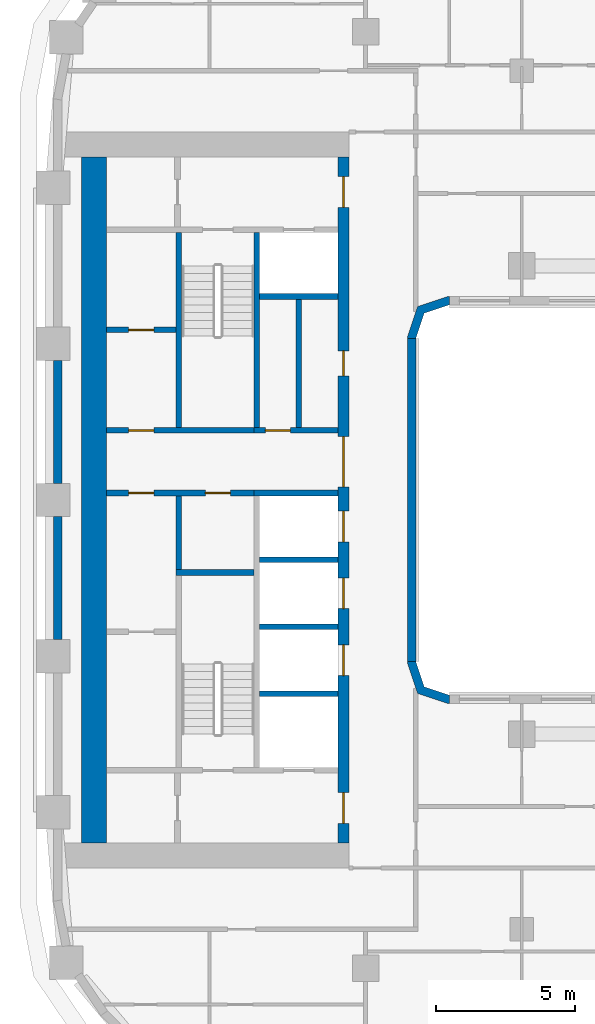
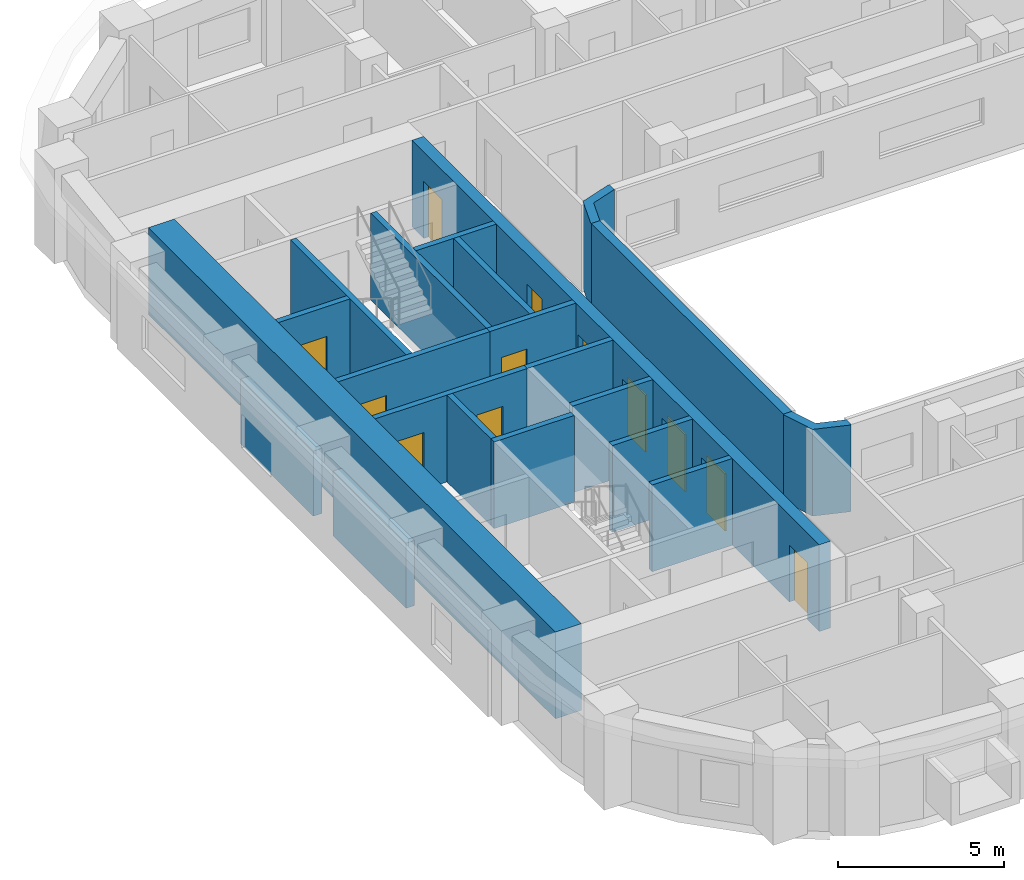
# One storey, part 5 of 23: 21 walls, 12 doors, 12 openings.
"""IFC4 building model written with IfcOpenShell, lengths in metres."""

from ifc_helpers import new_model, si_unit, direction, frame, frame_2d, origin, place, context, subcontext, project, spatial, polyline, rectangle, outline, extrude, material, layer, layer_set, type_object, element, fill, save


model = new_model("IFC4")

# Units and contexts
model_context = context("Model", 3, precision=1e-05, world=origin(), true_north=direction((0.0, 1.0)))
body_context = subcontext(model_context, "Body", "Model", "MODEL_VIEW")
ifc_project = project(units=[si_unit("LENGTHUNIT", "METRE"), si_unit("AREAUNIT", "SQUARE_METRE"), si_unit("VOLUMEUNIT", "CUBIC_METRE"), si_unit("PLANEANGLEUNIT", "RADIAN"), si_unit("MASSUNIT", "GRAM", prefix="KILO")], contexts=[model_context])

# Site, building, storey
site_placement = place(None, origin())
site = spatial("IfcSite", under=ifc_project, at=site_placement, CompositionType="ELEMENT")
building_placement = place(site_placement, origin())
building = spatial("IfcBuilding", under=site, at=building_placement, Name="Kiln Ring Residences", CompositionType="ELEMENT")
storey_placement = place(building_placement, frame((0.0, 0.0, 118.300048828125)))
storey = spatial("IfcBuildingStorey", under=building, at=storey_placement, Name="L30", CompositionType="ELEMENT", Elevation=118.300048828125)

# Wall
ifc_material_1 = material(Name="Gypsum board on steel studs", Category="steel")
ifc_layer_1 = layer(ifc_material_1, 0.199951171875)
ifc_layer_set_1 = layer_set([ifc_layer_1], Name="CORE-PARTITION-200")
wall_type_1 = type_object("IfcWallType", Name="CORE-PARTITION-200", PredefinedType="PARTITIONING", material=ifc_layer_set_1)
wall_1_placement = place(storey_placement, frame((-23.5, -2.5, 0.0), z_axis=(0.0, 0.0, 1.0), x_axis=(0.0, 1.0, 0.0)))
element("IfcWall", 1, at=wall_1_placement, inside=storey, type_object=wall_type_1, Name="Core partition west L30 1", PredefinedType="PARTITIONING", context=body_context, shape_type="SweptSolid", body=[
    extrude(rectangle(XDim=2.64990234375, YDim=0.199951171875, at=frame_2d((1.324951171875, 0.0))), origin(), (0.0, 0.0, 1.0), 3.199951171875),
])

# Wall, openings, doors
wall_2_placement = place(storey_placement, frame((-20.800048828125, 0.25, 0.0), z_axis=(0.0, 0.0, 1.0), x_axis=(-1.0, 0.0, 0.0)))
wall_2 = element("IfcWall", 2, at=wall_2_placement, inside=storey, type_object=wall_type_1, Name="Core partition west L30 2", PredefinedType="PARTITIONING", context=body_context, shape_type="SweptSolid", body=[
    extrude(rectangle(XDim=5.300048828125, YDim=0.199951171875, at=frame_2d((2.64990234375, 0.0))), origin(), (0.0, 0.0, 1.0), 3.199951171875),
])
opening_1_placement = place(wall_2_placement, frame((0.85009765625, 0.0, 0.0)))
opening_1 = element("IfcOpeningElement", 3, at=opening_1_placement, cuts=wall_2, Name="Opening L30-CW15", PredefinedType="OPENING", context=body_context, shape_type="SweptSolid", body=[
    extrude(rectangle(XDim=0.89990234375, YDim=2.10009765625, at=frame_2d((0.449951171875, 1.050048828125))), frame((0.0, 0.10986328125, 0.0), z_axis=(0.0, -1.0, 0.0), x_axis=(1.0, 0.0, 0.0)), (0.0, 0.0, 1.0), 0.219970703125),
])
opening_2_placement = place(wall_2_placement, frame((3.60009765625, 0.0, 0.0)))
opening_2 = element("IfcOpeningElement", 4, at=opening_2_placement, cuts=wall_2, Name="Opening L30-CW17", PredefinedType="OPENING", context=body_context, shape_type="SweptSolid", body=[
    extrude(rectangle(XDim=0.89990234375, YDim=2.10009765625, at=frame_2d((0.449951171875, 1.050048828125))), frame((0.0, 0.10986328125, 0.0), z_axis=(0.0, -1.0, 0.0), x_axis=(1.0, 0.0, 0.0)), (0.0, 0.0, 1.0), 0.219970703125),
])
ifc_material_2 = material(Name="Steel door leaf", Category="steel")
door_type_1 = type_object("IfcDoorType", Name="CORE-DOOR-ROOM", OperationType="SINGLE_SWING_LEFT", PredefinedType="DOOR", material=ifc_material_2)
door_1_placement = place(opening_1_placement, origin())
door_1 = element("IfcDoor", 5, at=door_1_placement, inside=storey, type_object=door_type_1, Name="Comms room L30-CW15", OperationType="SINGLE_SWING_LEFT", OverallHeight=2.10009765625, OverallWidth=0.89990234375, PredefinedType="DOOR", context=body_context, shape_type="SweptSolid", body=[
    extrude(rectangle(XDim=0.89990234375, YDim=2.10009765625, at=frame_2d((0.449951171875, 1.050048828125))), frame((0.0, 0.02490234375, 0.0), z_axis=(0.0, -1.0, 0.0), x_axis=(1.0, 0.0, 0.0)), (0.0, 0.0, 1.0), 0.050048828125),
])
fill(opening_1, door_1)
door_2_placement = place(opening_2_placement, origin())
door_2 = element("IfcDoor", 6, at=door_2_placement, inside=storey, type_object=door_type_1, Name="Meter room L30-CW17", OperationType="SINGLE_SWING_LEFT", OverallHeight=2.10009765625, OverallWidth=0.89990234375, PredefinedType="DOOR", context=body_context, shape_type="SweptSolid", body=[
    extrude(rectangle(XDim=0.89990234375, YDim=2.10009765625, at=frame_2d((0.449951171875, 1.050048828125))), frame((0.0, 0.02490234375, 0.0), z_axis=(0.0, -1.0, 0.0), x_axis=(1.0, 0.0, 0.0)), (0.0, 0.0, 1.0), 0.050048828125),
])
fill(opening_2, door_2)

# Wall
wall_3_placement = place(storey_placement, frame((-19.199951171875, 2.60009765625, 0.0), z_axis=(0.0, 0.0, 1.0), x_axis=(0.0, 1.0, 0.0)))
element("IfcWall", 7, at=wall_3_placement, inside=storey, type_object=wall_type_1, Name="Core partition west L30 3", PredefinedType="PARTITIONING", context=body_context, shape_type="SweptSolid", body=[
    extrude(rectangle(XDim=4.599853515625, YDim=0.199951171875, at=frame_2d((2.2998046875, 0.0))), origin(), (0.0, 0.0, 1.0), 3.199951171875),
])

# Wall, opening, door
wall_4_placement = place(storey_placement, frame((-23.60009765625, 6.10009765625, 0.0), z_axis=(0.0, 0.0, 1.0), x_axis=(-1.0, 0.0, 0.0)))
wall_4 = element("IfcWall", 8, at=wall_4_placement, inside=storey, type_object=wall_type_1, Name="Core partition west L30 7", PredefinedType="PARTITIONING", context=body_context, shape_type="SweptSolid", body=[
    extrude(rectangle(XDim=2.5, YDim=0.199951171875, at=frame_2d((1.25, 0.0))), origin(), (0.0, 0.0, 1.0), 3.199951171875),
])
opening_3_placement = place(wall_4_placement, frame((0.800048828125, 0.0, 0.0)))
opening_3 = element("IfcOpeningElement", 9, at=opening_3_placement, cuts=wall_4, Name="Opening L30-CW18", PredefinedType="OPENING", context=body_context, shape_type="SweptSolid", body=[
    extrude(rectangle(XDim=0.89990234375, YDim=2.10009765625, at=frame_2d((0.449951171875, 1.050048828125))), frame((0.0, 0.10986328125, 0.0), z_axis=(0.0, -1.0, 0.0), x_axis=(1.0, 0.0, 0.0)), (0.0, 0.0, 1.0), 0.219970703125),
])
door_3_placement = place(opening_3_placement, origin())
door_3 = element("IfcDoor", 10, at=door_3_placement, inside=storey, type_object=door_type_1, Name="Comms room L30-CW18", OperationType="SINGLE_SWING_LEFT", OverallHeight=2.10009765625, OverallWidth=0.89990234375, PredefinedType="DOOR", context=body_context, shape_type="SweptSolid", body=[
    extrude(rectangle(XDim=0.89990234375, YDim=2.10009765625, at=frame_2d((0.449951171875, 1.050048828125))), frame((0.0, 0.02490234375, 0.0), z_axis=(0.0, -1.0, 0.0), x_axis=(1.0, 0.0, 0.0)), (0.0, 0.0, 1.0), 0.050048828125),
])
fill(opening_3, door_3)

# Walls
ifc_material_3 = material(Name="Gypsum shaft wall system")
ifc_layer_2 = layer(ifc_material_3, 0.199951171875)
ifc_layer_set_2 = layer_set([ifc_layer_2], Name="CORE-SHAFT-WALL-200")
wall_type_2 = type_object("IfcWallType", Name="CORE-SHAFT-WALL-200", PredefinedType="PARTITIONING", material=ifc_layer_set_2)
for number, where, z_axis, x_axis, name in (
    (11, (-17.800048828125, -6.949951171875, 0.0), (0.0, 0.0, 1.0), (-1.0, 0.0, 0.0), "Core partition west L30 8"),
    (12, (-17.800048828125, -4.550048828125, 0.0), (0.0, 0.0, 1.0), (-1.0, 0.0, 0.0), "Core partition west L30 9"),
    (13, (-17.800048828125, -2.14990234375, 0.0), (0.0, 0.0, 1.0), (-1.0, 0.0, 0.0), "Core partition west L30 10"),
):
    element("IfcWall", number, at=place(storey_placement, frame(where, z_axis=z_axis, x_axis=x_axis)), inside=storey, type_object=wall_type_2, Name=name, PredefinedType="PARTITIONING", context=body_context, shape_type="SweptSolid", body=[
        extrude(rectangle(XDim=2.800048828125, YDim=0.199951171875, at=frame_2d((1.39990234375, 0.0))), origin(), (0.0, 0.0, 1.0), 3.199951171875),
    ])
wall_5_placement = place(storey_placement, frame((-17.800048828125, 0.25, 0.0), z_axis=(0.0, 0.0, 1.0), x_axis=(-1.0, 0.0, 0.0)))
element("IfcWall", 14, at=wall_5_placement, inside=storey, type_object=wall_type_2, Name="Core partition west L30 11", PredefinedType="PARTITIONING", context=body_context, shape_type="SweptSolid", body=[
    extrude(rectangle(XDim=3.0, YDim=0.199951171875, at=frame_2d((1.5, 0.0))), origin(), (0.0, 0.0, 1.0), 3.199951171875),
])

# Wall, opening, door
wall_6_placement = place(storey_placement, frame((-17.800048828125, 2.5, 0.0), z_axis=(0.0, 0.0, 1.0), x_axis=(-1.0, 0.0, 0.0)))
wall_6 = element("IfcWall", 15, at=wall_6_placement, inside=storey, type_object=wall_type_2, Name="Core partition west L30 12", PredefinedType="PARTITIONING", context=body_context, shape_type="SweptSolid", body=[
    extrude(rectangle(XDim=3.0, YDim=0.199951171875, at=frame_2d((1.5, 0.0))), origin(), (0.0, 0.0, 1.0), 3.199951171875),
])
opening_4_placement = place(wall_6_placement, frame((1.699951171875, 0.0, 0.0)))
opening_4 = element("IfcOpeningElement", 16, at=opening_4_placement, cuts=wall_6, Name="Opening L30-CW06", PredefinedType="OPENING", context=body_context, shape_type="SweptSolid", body=[
    extrude(rectangle(XDim=0.89990234375, YDim=2.10009765625, at=frame_2d((0.449951171875, 1.050048828125))), frame((0.0, 0.10986328125, 0.0), z_axis=(0.0, -1.0, 0.0), x_axis=(1.0, 0.0, 0.0)), (0.0, 0.0, 1.0), 0.219970703125),
])
door_4_placement = place(opening_4_placement, origin())
door_4 = element("IfcDoor", 17, at=door_4_placement, inside=storey, type_object=door_type_1, Name="Linen store L30-CW06", OperationType="SINGLE_SWING_LEFT", OverallHeight=2.10009765625, OverallWidth=0.89990234375, PredefinedType="DOOR", context=body_context, shape_type="SweptSolid", body=[
    extrude(rectangle(XDim=0.89990234375, YDim=2.10009765625, at=frame_2d((0.449951171875, 1.050048828125))), frame((0.0, 0.02490234375, 0.0), z_axis=(0.0, -1.0, 0.0), x_axis=(1.0, 0.0, 0.0)), (0.0, 0.0, 1.0), 0.050048828125),
])
fill(opening_4, door_4)

# Walls
wall_7_placement = place(storey_placement, frame((-17.800048828125, 7.300048828125, 0.0), z_axis=(0.0, 0.0, 1.0), x_axis=(-1.0, 0.0, 0.0)))
element("IfcWall", 18, at=wall_7_placement, inside=storey, type_object=wall_type_2, Name="Core partition west L30 13", PredefinedType="PARTITIONING", context=body_context, shape_type="SweptSolid", body=[
    extrude(rectangle(XDim=2.800048828125, YDim=0.199951171875, at=frame_2d((1.39990234375, 0.0))), origin(), (0.0, 0.0, 1.0), 3.199951171875),
])
ifc_material_4 = material(Name="Concrete C40/50", Category="concrete")
ifc_layer_3 = layer(ifc_material_4, 0.199951171875)
ifc_layer_set_3 = layer_set([ifc_layer_3], Name="CORE-WALL-RC200")
wall_type_3 = type_object("IfcWallType", Name="CORE-WALL-RC200", PredefinedType="SHEAR", material=ifc_layer_set_3)
wall_8_placement = place(storey_placement, frame((-20.699951171875, 2.60009765625, 0.0), z_axis=(0.0, 0.0, 1.0), x_axis=(0.0, 1.0, 0.0)))
element("IfcWall", 19, at=wall_8_placement, inside=storey, type_object=wall_type_3, Name="Core wall west L30 1", PredefinedType="SHEAR", context=body_context, shape_type="SweptSolid", body=[
    extrude(rectangle(XDim=7.0, YDim=0.199951171875, at=frame_2d((3.5, 0.0))), origin(), (0.0, 0.0, 1.0), 3.199951171875),
])

# Wall, opening, door
wall_9_placement = place(storey_placement, frame((-20.800048828125, 2.5, 0.0), z_axis=(0.0, 0.0, 1.0), x_axis=(-1.0, 0.0, 0.0)))
wall_9 = element("IfcWall", 20, at=wall_9_placement, inside=storey, type_object=wall_type_3, Name="Core wall west L30 3", PredefinedType="SHEAR", context=body_context, shape_type="SweptSolid", body=[
    extrude(rectangle(XDim=5.300048828125, YDim=0.199951171875, at=frame_2d((2.64990234375, 0.0))), origin(), (0.0, 0.0, 1.0), 3.199951171875),
])
opening_5_placement = place(wall_9_placement, frame((3.60009765625, 0.0, 0.0)))
opening_5 = element("IfcOpeningElement", 21, at=opening_5_placement, cuts=wall_9, Name="Opening L30-CW19", PredefinedType="OPENING", context=body_context, shape_type="SweptSolid", body=[
    extrude(rectangle(XDim=0.89990234375, YDim=2.10009765625, at=frame_2d((0.449951171875, 1.050048828125))), frame((0.0, 0.10986328125, 0.0), z_axis=(0.0, -1.0, 0.0), x_axis=(1.0, 0.0, 0.0)), (0.0, 0.0, 1.0), 0.219970703125),
])
door_5_placement = place(opening_5_placement, origin())
door_5 = element("IfcDoor", 22, at=door_5_placement, inside=storey, type_object=door_type_1, Name="Electrical plant room L30-CW19", OperationType="SINGLE_SWING_RIGHT", OverallHeight=2.10009765625, OverallWidth=0.89990234375, PredefinedType="DOOR", context=body_context, shape_type="SweptSolid", body=[
    extrude(rectangle(XDim=0.89990234375, YDim=2.10009765625, at=frame_2d((0.449951171875, 1.050048828125))), frame((0.0, 0.02490234375, 0.0), z_axis=(0.0, -1.0, 0.0), x_axis=(1.0, 0.0, 0.0)), (0.0, 0.0, 1.0), 0.050048828125),
])
fill(opening_5, door_5)

# Walls
wall_10_placement = place(storey_placement, frame((-23.5, 2.60009765625, 0.0), z_axis=(0.0, 0.0, 1.0), x_axis=(0.0, 1.0, 0.0)))
element("IfcWall", 23, at=wall_10_placement, inside=storey, type_object=wall_type_3, Name="Core wall west L30 10", PredefinedType="SHEAR", context=body_context, shape_type="SweptSolid", body=[
    extrude(rectangle(XDim=7.0, YDim=0.199951171875, at=frame_2d((3.5, 0.0))), origin(), (0.0, 0.0, 1.0), 3.199951171875),
])
wall_11_placement = place(storey_placement, frame((-20.800048828125, -2.60009765625, 0.0), z_axis=(0.0, 0.0, 1.0), x_axis=(-1.0, 0.0, 0.0)))
element("IfcWall", 24, at=wall_11_placement, inside=storey, type_object=wall_type_3, Name="Core wall west L30 12", PredefinedType="SHEAR", context=body_context, shape_type="SweptSolid", body=[
    extrude(rectangle(XDim=2.800048828125, YDim=0.199951171875, at=frame_2d((1.39990234375, 0.0))), origin(), (0.0, 0.0, 1.0), 3.199951171875),
])

# Wall, openings, doors
ifc_material_5 = material(Name="Concrete C60/75", Category="concrete")
ifc_layer_4 = layer(ifc_material_5, 0.39990234375)
ifc_layer_set_4 = layer_set([ifc_layer_4], Name="CORE-WALL-RC400")
wall_type_4 = type_object("IfcWallType", Name="CORE-WALL-RC400", PredefinedType="SHEAR", material=ifc_layer_set_4)
wall_12_placement = place(storey_placement, frame((-17.60009765625, -12.300048828125, 0.0), z_axis=(0.0, 0.0, 1.0), x_axis=(0.0, 1.0, 0.0)))
wall_12 = element("IfcWall", 25, at=wall_12_placement, inside=storey, type_object=wall_type_4, Name="Core wall west L30 6", PredefinedType="SHEAR", context=body_context, shape_type="SweptSolid", body=[
    extrude(rectangle(XDim=24.60009765625, YDim=0.39990234375, at=frame_2d((12.300048828125, 0.0))), origin(), (0.0, 0.0, 1.0), 3.199951171875),
])
opening_6_placement = place(wall_12_placement, frame((6.0, 0.0, 0.0)))
opening_6 = element("IfcOpeningElement", 26, at=opening_6_placement, cuts=wall_12, Name="Opening L30-CW02", PredefinedType="OPENING", context=body_context, shape_type="SweptSolid", body=[
    extrude(rectangle(XDim=1.10009765625, YDim=2.10009765625, at=frame_2d((0.550048828125, 1.050048828125))), frame((0.0, 0.2099609375, 0.0), z_axis=(0.0, -1.0, 0.0), x_axis=(1.0, 0.0, 0.0)), (0.0, 0.0, 1.0), 0.419921875),
])
opening_7_placement = place(wall_12_placement, frame((8.39990234375, 0.0, 0.0)))
opening_7 = element("IfcOpeningElement", 27, at=opening_7_placement, cuts=wall_12, Name="Opening L30-CW03", PredefinedType="OPENING", context=body_context, shape_type="SweptSolid", body=[
    extrude(rectangle(XDim=1.10009765625, YDim=2.10009765625, at=frame_2d((0.550048828125, 1.050048828125))), frame((0.0, 0.2099609375, 0.0), z_axis=(0.0, -1.0, 0.0), x_axis=(1.0, 0.0, 0.0)), (0.0, 0.0, 1.0), 0.419921875),
])
opening_8_placement = place(wall_12_placement, frame((10.800048828125, 0.0, 0.0)))
opening_8 = element("IfcOpeningElement", 28, at=opening_8_placement, cuts=wall_12, Name="Opening L30-CW04", PredefinedType="OPENING", context=body_context, shape_type="SweptSolid", body=[
    extrude(rectangle(XDim=1.10009765625, YDim=2.10009765625, at=frame_2d((0.550048828125, 1.050048828125))), frame((0.0, 0.2099609375, 0.0), z_axis=(0.0, -1.0, 0.0), x_axis=(1.0, 0.0, 0.0)), (0.0, 0.0, 1.0), 0.419921875),
])
opening_9_placement = place(wall_12_placement, frame((16.75, 0.0, 0.0)))
opening_9 = element("IfcOpeningElement", 29, at=opening_9_placement, cuts=wall_12, Name="Opening L30-CW05", PredefinedType="OPENING", context=body_context, shape_type="SweptSolid", body=[
    extrude(rectangle(XDim=0.89990234375, YDim=2.10009765625, at=frame_2d((0.449951171875, 1.050048828125))), frame((0.0, 0.2099609375, 0.0), z_axis=(0.0, -1.0, 0.0), x_axis=(1.0, 0.0, 0.0)), (0.0, 0.0, 1.0), 0.419921875),
])
opening_10_placement = place(wall_12_placement, frame((22.800048828125, 0.0, 0.0)))
opening_10 = element("IfcOpeningElement", 30, at=opening_10_placement, cuts=wall_12, Name="Opening L30-CW08", PredefinedType="OPENING", context=body_context, shape_type="SweptSolid", body=[
    extrude(rectangle(XDim=1.10009765625, YDim=2.10009765625, at=frame_2d((0.550048828125, 1.050048828125))), frame((0.0, 0.2099609375, 0.0), z_axis=(0.0, -1.0, 0.0), x_axis=(1.0, 0.0, 0.0)), (0.0, 0.0, 1.0), 0.419921875),
])
opening_11_placement = place(wall_12_placement, frame((0.699951171875, 0.0, 0.0)))
opening_11 = element("IfcOpeningElement", 31, at=opening_11_placement, cuts=wall_12, Name="Opening L30-CW09", PredefinedType="OPENING", context=body_context, shape_type="SweptSolid", body=[
    extrude(rectangle(XDim=1.10009765625, YDim=2.10009765625, at=frame_2d((0.550048828125, 1.050048828125))), frame((0.0, 0.2099609375, 0.0), z_axis=(0.0, -1.0, 0.0), x_axis=(1.0, 0.0, 0.0)), (0.0, 0.0, 1.0), 0.419921875),
])
opening_12_placement = place(wall_12_placement, frame((12.77490234375, 0.0, 0.0)))
opening_12 = element("IfcOpeningElement", 32, at=opening_12_placement, cuts=wall_12, Name="Opening L30-CW14", PredefinedType="OPENING", context=body_context, shape_type="SweptSolid", body=[
    extrude(rectangle(XDim=1.800048828125, YDim=2.10009765625, at=frame_2d((0.89990234375, 1.050048828125))), frame((0.0, 0.2099609375, 0.0), z_axis=(0.0, -1.0, 0.0), x_axis=(1.0, 0.0, 0.0)), (0.0, 0.0, 1.0), 0.419921875),
])
ifc_material_6 = material(Name="Steel door leaf", Category="steel")
door_type_2 = type_object("IfcDoorType", Name="CORE-DOOR-LD", OperationType="DOUBLE_DOOR_SLIDING", PredefinedType="DOOR", material=ifc_material_6)
door_6_placement = place(opening_6_placement, origin())
door_6 = element("IfcDoor", 33, at=door_6_placement, inside=storey, type_object=door_type_2, Name="LD W-L1 L30-CW02", OperationType="DOUBLE_DOOR_SLIDING", OverallHeight=2.10009765625, OverallWidth=1.10009765625, PredefinedType="DOOR", context=body_context, shape_type="SweptSolid", body=[
    extrude(rectangle(XDim=1.10009765625, YDim=2.10009765625, at=frame_2d((0.550048828125, 1.050048828125))), frame((0.0, 0.02490234375, 0.0), z_axis=(0.0, -1.0, 0.0), x_axis=(1.0, 0.0, 0.0)), (0.0, 0.0, 1.0), 0.050048828125),
])
fill(opening_6, door_6)
door_7_placement = place(opening_7_placement, origin())
door_7 = element("IfcDoor", 34, at=door_7_placement, inside=storey, type_object=door_type_2, Name="LD W-L2 L30-CW03", OperationType="DOUBLE_DOOR_SLIDING", OverallHeight=2.10009765625, OverallWidth=1.10009765625, PredefinedType="DOOR", context=body_context, shape_type="SweptSolid", body=[
    extrude(rectangle(XDim=1.10009765625, YDim=2.10009765625, at=frame_2d((0.550048828125, 1.050048828125))), frame((0.0, 0.02490234375, 0.0), z_axis=(0.0, -1.0, 0.0), x_axis=(1.0, 0.0, 0.0)), (0.0, 0.0, 1.0), 0.050048828125),
])
fill(opening_7, door_7)
door_8_placement = place(opening_8_placement, origin())
door_8 = element("IfcDoor", 35, at=door_8_placement, inside=storey, type_object=door_type_2, Name="LD W-L3 L30-CW04", OperationType="DOUBLE_DOOR_SLIDING", OverallHeight=2.10009765625, OverallWidth=1.10009765625, PredefinedType="DOOR", context=body_context, shape_type="SweptSolid", body=[
    extrude(rectangle(XDim=1.10009765625, YDim=2.10009765625, at=frame_2d((0.550048828125, 1.050048828125))), frame((0.0, 0.02490234375, 0.0), z_axis=(0.0, -1.0, 0.0), x_axis=(1.0, 0.0, 0.0)), (0.0, 0.0, 1.0), 0.050048828125),
])
fill(opening_8, door_8)
ifc_material_7 = material(Name="Steel door leaf", Category="steel")
door_type_3 = type_object("IfcDoorType", Name="CORE-DOOR-LOBBY", OperationType="SINGLE_SWING_LEFT", PredefinedType="DOOR", material=ifc_material_7)
door_9_placement = place(opening_10_placement, origin())
door_9 = element("IfcDoor", 36, at=door_9_placement, inside=storey, type_object=door_type_3, Name="FFL L30-CW08", OperationType="SINGLE_SWING_LEFT", OverallHeight=2.10009765625, OverallWidth=1.10009765625, PredefinedType="DOOR", context=body_context, shape_type="SweptSolid", body=[
    extrude(rectangle(XDim=1.10009765625, YDim=2.10009765625, at=frame_2d((0.550048828125, 1.050048828125))), frame((0.0, 0.02490234375, 0.0), z_axis=(0.0, -1.0, 0.0), x_axis=(1.0, 0.0, 0.0)), (0.0, 0.0, 1.0), 0.050048828125),
])
fill(opening_10, door_9)
door_10_placement = place(opening_11_placement, origin())
door_10 = element("IfcDoor", 37, at=door_10_placement, inside=storey, type_object=door_type_3, Name="SVL L30-CW09", OperationType="SINGLE_SWING_RIGHT", OverallHeight=2.10009765625, OverallWidth=1.10009765625, PredefinedType="DOOR", context=body_context, shape_type="SweptSolid", body=[
    extrude(rectangle(XDim=1.10009765625, YDim=2.10009765625, at=frame_2d((0.550048828125, 1.050048828125))), frame((0.0, 0.02490234375, 0.0), z_axis=(0.0, -1.0, 0.0), x_axis=(1.0, 0.0, 0.0)), (0.0, 0.0, 1.0), 0.050048828125),
])
fill(opening_11, door_10)
ifc_material_8 = material(Name="Steel door leaf", Category="steel")
door_type_4 = type_object("IfcDoorType", Name="CORE-DOOR-PASS", OperationType="DOUBLE_DOOR_SINGLE_SWING", PredefinedType="DOOR", material=ifc_material_8)
door_11_placement = place(opening_12_placement, origin())
door_11 = element("IfcDoor", 38, at=door_11_placement, inside=storey, type_object=door_type_4, Name="Core passage L30-CW14", OperationType="DOUBLE_DOOR_SINGLE_SWING", OverallHeight=2.10009765625, OverallWidth=1.800048828125, PredefinedType="DOOR", context=body_context, shape_type="SweptSolid", body=[
    extrude(rectangle(XDim=1.800048828125, YDim=2.10009765625, at=frame_2d((0.89990234375, 1.050048828125))), frame((0.0, 0.02490234375, 0.0), z_axis=(0.0, -1.0, 0.0), x_axis=(1.0, 0.0, 0.0)), (0.0, 0.0, 1.0), 0.050048828125),
])
fill(opening_12, door_11)
door_12_placement = place(opening_9_placement, origin())
door_12 = element("IfcDoor", 39, at=door_12_placement, inside=storey, type_object=door_type_1, Name="Janitor's store L30-CW05", OperationType="SINGLE_SWING_LEFT", OverallHeight=2.10009765625, OverallWidth=0.89990234375, PredefinedType="DOOR", context=body_context, shape_type="SweptSolid", body=[
    extrude(rectangle(XDim=0.89990234375, YDim=2.10009765625, at=frame_2d((0.449951171875, 1.050048828125))), frame((0.0, 0.02490234375, 0.0), z_axis=(0.0, -1.0, 0.0), x_axis=(1.0, 0.0, 0.0)), (0.0, 0.0, 1.0), 0.050048828125),
])
fill(opening_9, door_12)

# Walls
ifc_material_9 = material(Name="Concrete C60/75", Category="concrete")
ifc_layer_5 = layer(ifc_material_9, 0.89990234375)
ifc_layer_set_5 = layer_set([ifc_layer_5], Name="CORE-WALL-RC900")
wall_type_5 = type_object("IfcWallType", Name="CORE-WALL-RC900", PredefinedType="SHEAR", material=ifc_layer_set_5)
wall_13_placement = place(storey_placement, frame((-26.550048828125, -12.300048828125, 0.0), z_axis=(0.0, 0.0, 1.0), x_axis=(0.0, 1.0, 0.0)))
element("IfcWall", 40, at=wall_13_placement, inside=storey, type_object=wall_type_5, Name="Core wall west L30 7", PredefinedType="SHEAR", context=body_context, shape_type="SweptSolid", body=[
    extrude(rectangle(XDim=24.60009765625, YDim=0.89990234375, at=frame_2d((12.300048828125, 0.0))), origin(), (0.0, 0.0, 1.0), 3.199951171875),
])
ifc_material_10 = material(Name="Brick masonry, dark clay brick", Category="masonry")
ifc_layer_6 = layer(ifc_material_10, 0.300048828125)
ifc_layer_set_6 = layer_set([ifc_layer_6], Name="EW-300 BRICK WALL")
wall_type_6 = type_object("IfcWallType", Name="EW-300 BRICK WALL", PredefinedType="SOLIDWALL", material=ifc_layer_set_6)
for number, where, z_axis, x_axis, name in (
    (41, (-27.85009765625, 5.0, 0.0), (0.0, 0.0, 1.0), (0.0, -1.0, 0.0), "Facade wall L30 43"),
    (42, (-27.85009765625, -0.60009765625, 0.0), (0.0, 0.0, 1.0), (0.0, -1.0, 0.0), "Facade wall L30 44"),
):
    element("IfcWall", number, at=place(storey_placement, frame(where, z_axis=z_axis, x_axis=x_axis)), inside=storey, type_object=wall_type_6, Name=name, PredefinedType="SOLIDWALL", context=body_context, shape_type="SweptSolid", body=[
        extrude(rectangle(XDim=4.39990234375, YDim=0.300048828125, at=frame_2d((2.199951171875, 0.0))), origin(), (0.0, 0.0, 1.0), 2.39990234375),
    ])
wall_14_placement = place(storey_placement, frame((-15.14990234375, -5.800048828125, 0.0), z_axis=(0.0, 0.0, 1.0), x_axis=(0.0, 1.0, 0.0)))
element("IfcWall", 43, at=wall_14_placement, inside=storey, type_object=wall_type_6, Name="Facade wall L30 49", PredefinedType="SOLIDWALL", context=body_context, shape_type="SweptSolid", body=[
    extrude(rectangle(XDim=11.60009765625, YDim=0.300048828125, at=frame_2d((5.800048828125, 0.0))), origin(), (0.0, 0.0, 1.0), 3.199951171875),
])
placement = place(storey_placement, origin())
element("IfcWall", 44, at=placement, inside=storey, type_object=wall_type_6, Name="Corner wall L30 1", PredefinedType="SOLIDWALL", context=body_context, shape_type="SweptSolid", body=[
    extrude(outline(polyline([(-13.8486328125, 7.300048828125), (-14.937255859375, 6.937255859375), (-15.300048828125, 5.8486328125), (-15.300048828125, 5.800048828125), (-15.0, 5.800048828125), (-14.699951171875, 6.699951171875), (-13.800048828125, 7.0), (-13.800048828125, 7.300048828125), (-13.8486328125, 7.300048828125)])), origin(), (0.0, 0.0, 1.0), 3.199951171875),
])
element("IfcWall", 45, at=placement, inside=storey, type_object=wall_type_6, Name="Corner wall L30 4", PredefinedType="SOLIDWALL", context=body_context, shape_type="SweptSolid", body=[
    extrude(outline(polyline([(-14.937255859375, -6.937255859375), (-13.8486328125, -7.300048828125), (-13.800048828125, -7.300048828125), (-13.800048828125, -7.0), (-14.699951171875, -6.699951171875), (-15.0, -5.800048828125), (-15.300048828125, -5.800048828125), (-15.300048828125, -5.8486328125), (-14.937255859375, -6.937255859375)])), origin(), (0.0, 0.0, 1.0), 3.199951171875),
])

save(model, "model.ifc")
